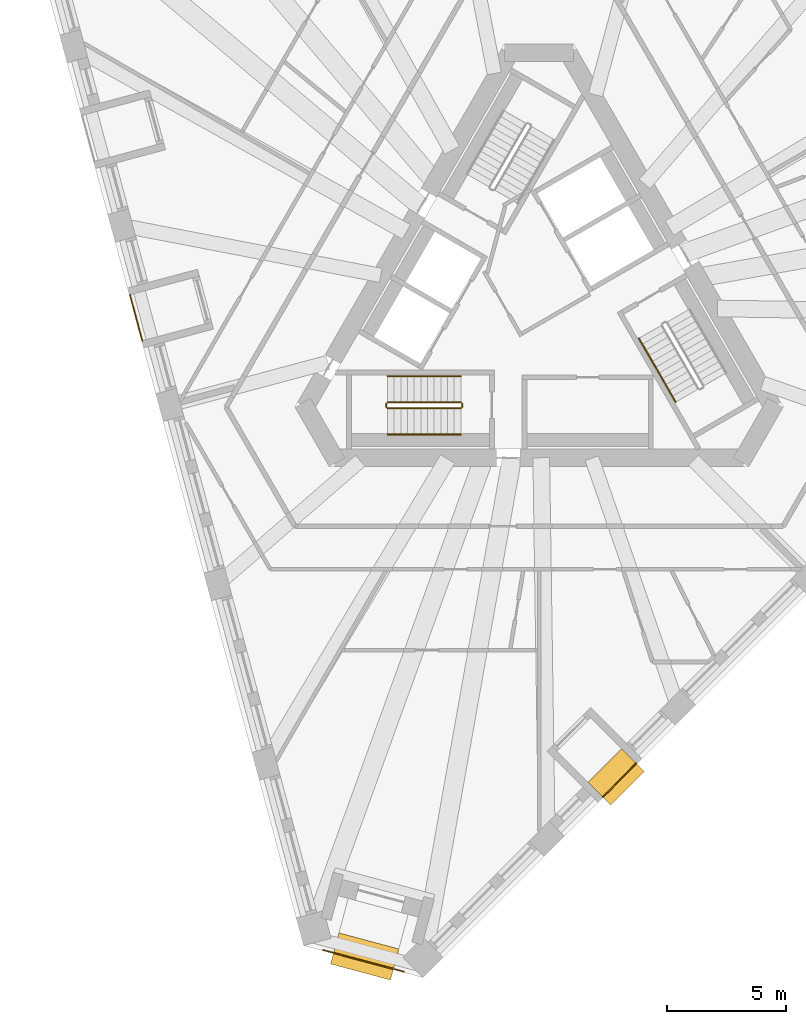
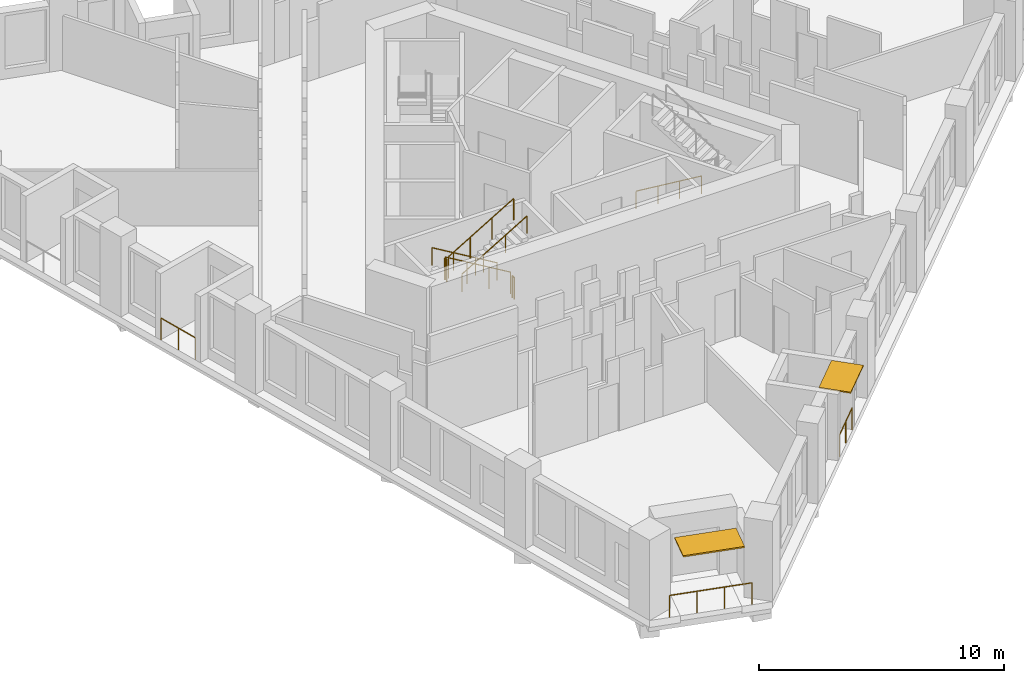
# One storey, part 10 of 13: 10 railings, 2 shading devices.
"""IFC4 building model written with IfcOpenShell, lengths in metres."""

from ifc_helpers import new_model, si_unit, direction, frame, origin, origin_2d, place, context, subcontext, project, spatial, rectangle, circle, extrude, material, layer, layer_set, type_object, element, save


model = new_model("IFC4")

# Units and contexts
model_context = context("Model", 3, precision=1e-05, world=origin(), true_north=direction((0.0, 1.0)))
body_context = subcontext(model_context, "Body", "Model", "MODEL_VIEW")
ifc_project = project(units=[si_unit("LENGTHUNIT", "METRE"), si_unit("AREAUNIT", "SQUARE_METRE"), si_unit("VOLUMEUNIT", "CUBIC_METRE"), si_unit("PLANEANGLEUNIT", "RADIAN"), si_unit("MASSUNIT", "GRAM", prefix="KILO")], contexts=[model_context])

# Site, building, storey
site_placement = place(None, origin())
site = spatial("IfcSite", under=ifc_project, at=site_placement, CompositionType="ELEMENT")
building_placement = place(site_placement, origin())
building = spatial("IfcBuilding", under=site, at=building_placement, Name="Tramontana Tower", CompositionType="ELEMENT")
storey_placement = place(building_placement, frame((0.0, 0.0, 204.0)))
storey = spatial("IfcBuildingStorey", under=building, at=storey_placement, Name="L47", CompositionType="ELEMENT", Elevation=204.0)

# Railings
ifc_material_1 = material(Name="Laminated glass balustrade", Category="glass")
railing_type_1 = type_object("IfcRailingType", Name="GD1 Loggia glass balustrade 1100", PredefinedType="BALUSTRADE", material=ifc_material_1)
railing_1_placement = place(storey_placement, frame((-17.176025390625, 0.466552734375, 0.0)))
element("IfcRailing", 1, at=railing_1_placement, inside=storey, type_object=railing_type_1, Name="Loggia balustrade L47 G5S0.7", PredefinedType="BALUSTRADE", context=body_context, shape_type="SweptSolid", body=[
    extrude(circle(Radius=0.02392578125, at=origin_2d()), frame((0.0, 0.0, 1.076171875), z_axis=(0.258803270362, -0.96593005298, 0.0), x_axis=(0.96593005298, 0.258803270362, 0.0)), (0.0, 0.0, 1.0), 1.998046875),
    extrude(circle(Radius=0.02099609375, at=origin_2d()), origin(), (0.0, 0.0, 1.0), 1.052001953125),
    extrude(circle(Radius=0.02099609375, at=origin_2d()), frame((0.258544921875, -0.96484375, 0.0)), (0.0, 0.0, 1.0), 1.052001953125),
    extrude(circle(Radius=0.02099609375, at=origin_2d()), frame((0.51708984375, -1.929931640625, 0.0)), (0.0, 0.0, 1.0), 1.052001953125),
])
railing_2_placement = place(storey_placement, frame((2.672607421875, -20.619384765625, 0.0)))
element("IfcRailing", 2, at=railing_2_placement, inside=storey, type_object=railing_type_1, Name="Loggia balustrade L47 G5S1.4", PredefinedType="BALUSTRADE", context=body_context, shape_type="SweptSolid", body=[
    extrude(circle(Radius=0.02392578125, at=origin_2d()), frame((0.0, 0.0, 1.076171875), z_axis=(0.707106781187, 0.707106781187, 0.0), x_axis=(-0.707106781187, 0.707106781187, 0.0)), (0.0, 0.0, 1.0), 1.998046875),
    extrude(circle(Radius=0.02099609375, at=origin_2d()), origin(), (0.0, 0.0, 1.0), 1.052001953125),
    extrude(circle(Radius=0.02099609375, at=origin_2d()), frame((0.70654296875, 0.70654296875, 0.0)), (0.0, 0.0, 1.0), 1.052001953125),
    extrude(circle(Radius=0.02099609375, at=origin_2d()), frame((1.412841796875, 1.412841796875, 0.0)), (0.0, 0.0, 1.0), 1.052001953125),
])
railing_3_placement = place(storey_placement, frame((-5.67822265625, -27.952880859375, 0.0)))
element("IfcRailing", 3, at=railing_3_placement, inside=storey, type_object=railing_type_1, Name="Corner loggia balustrade L47 K51", PredefinedType="BALUSTRADE", context=body_context, shape_type="SweptSolid", body=[
    extrude(circle(Radius=0.02392578125, at=origin_2d()), frame((0.0, 0.0, 1.076171875), z_axis=(-0.965913486506, 0.258865093408, 0.0), x_axis=(-0.258865093408, -0.965913486506, 0.0)), (0.0, 0.0, 1.0), 3.5),
    extrude(circle(Radius=0.02099609375, at=origin_2d()), origin(), (0.0, 0.0, 1.0), 1.052001953125),
    extrude(circle(Radius=0.02099609375, at=origin_2d()), frame((-1.126953125, 0.302001953125, 0.0)), (0.0, 0.0, 1.0), 1.052001953125),
    extrude(circle(Radius=0.02099609375, at=origin_2d()), frame((-2.253662109375, 0.60400390625, 0.0)), (0.0, 0.0, 1.0), 1.052001953125),
    extrude(circle(Radius=0.02099609375, at=origin_2d()), frame((-3.380615234375, 0.906005859375, 0.0)), (0.0, 0.0, 1.0), 1.052001953125),
])

# Shading devices
ifc_material_2 = material(Name="Precast concrete 60 MPa", Category="concrete")
ifc_layer_1 = layer(ifc_material_2, 0.06005859375)
ifc_layer_set_1 = layer_set([ifc_layer_1], Name="SS1 Stone sunshade blade 60")
shading_device_type_1 = type_object("IfcShadingDeviceType", Name="SS1 Stone sunshade blade 60", PredefinedType="USERDEFINED", material=ifc_layer_set_1)
shading_device_1_placement = place(storey_placement, frame((3.2412109375, -19.775146484375, 3.239990234375), z_axis=(0.0, 0.0, 1.0), x_axis=(0.707106781187, 0.707106781187, 0.0)))
element("IfcShadingDevice", 4, at=shading_device_1_placement, inside=storey, type_object=shading_device_type_1, Name="Sunshade L47 G5S1.4", ObjectType="SUNSHADE", PredefinedType="USERDEFINED", context=body_context, shape_type="SweptSolid", body=[
    extrude(rectangle(XDim=1.998046875, YDim=1.35009765625, at=origin_2d()), origin(), (0.0, 0.0, 1.0), 0.06005859375),
])
ifc_material_3 = material(Name="Precast concrete 60 MPa", Category="concrete")
ifc_layer_2 = layer(ifc_material_3, 0.070068359375)
ifc_layer_set_2 = layer_set([ifc_layer_2], Name="SS2 Stone sunshade blade 70")
shading_device_type_2 = type_object("IfcShadingDeviceType", Name="SS2 Stone sunshade blade 70", PredefinedType="USERDEFINED", material=ifc_layer_set_2)
shading_device_2_placement = place(storey_placement, frame((-7.318115234375, -27.3115234375, 3.22998046875), z_axis=(0.0, 0.0, 1.0), x_axis=(-0.965925826289, 0.258819045103, 0.0)))
element("IfcShadingDevice", 5, at=shading_device_2_placement, inside=storey, type_object=shading_device_type_2, Name="Corner sunshade L47 K51", ObjectType="SUNSHADE", PredefinedType="USERDEFINED", context=body_context, shape_type="SweptSolid", body=[
    extrude(rectangle(XDim=2.60009765625, YDim=1.35009765625, at=origin_2d()), origin(), (0.0, 0.0, 1.0), 0.070068359375),
])

# Railings
ifc_material_4 = material(Name="Painted steel", Category="steel")
railing_type_2 = type_object("IfcRailingType", Name="STAIR GUARD 1100", PredefinedType="GUARDRAIL", material=ifc_material_4)
railing_4_placement = place(storey_placement, frame((-3.280029296875, -4.050048828125, 0.166748046875)))
element("IfcRailing", 6, at=railing_4_placement, inside=storey, type_object=railing_type_2, Name="L47 ST2 stair guard 1", PredefinedType="GUARDRAIL", context=body_context, shape_type="SweptSolid", body=[
    extrude(circle(Radius=0.02392578125, at=origin_2d()), frame((0.0, 0.0, 1.076171875), z_axis=(-0.859308565015, 0.0, 0.511457515432), x_axis=(0.0, -1.0, 0.0)), (0.0, 0.0, 1.0), 3.58447265625),
    extrude(circle(Radius=0.02099609375, at=origin_2d()), origin(), (0.0, 0.0, 1.0), 1.052001953125),
    extrude(circle(Radius=0.02099609375, at=origin_2d()), frame((-1.026611328125, 0.0, 0.611083984375)), (0.0, 0.0, 1.0), 1.052001953125),
    extrude(circle(Radius=0.02099609375, at=origin_2d()), frame((-2.053466796875, 0.0, 1.22216796875)), (0.0, 0.0, 1.0), 1.052001953125),
    extrude(circle(Radius=0.02099609375, at=origin_2d()), frame((-3.080078125, 0.0, 1.833251953125)), (0.0, 0.0, 1.0), 1.052001953125),
])
railing_5_placement = place(storey_placement, frame((-6.360107421875, -4.300048828125, 2.166748046875)))
element("IfcRailing", 7, at=railing_5_placement, inside=storey, type_object=railing_type_2, Name="L47 ST2 stair guard 2", PredefinedType="GUARDRAIL", context=body_context, shape_type="SweptSolid", body=[
    extrude(circle(Radius=0.02392578125, at=origin_2d()), frame((0.0, 0.0, 1.076171875), z_axis=(0.859308565015, 0.0, 0.511457515432), x_axis=(0.0, 1.0, 0.0)), (0.0, 0.0, 1.0), 3.58447265625),
    extrude(circle(Radius=0.02099609375, at=origin_2d()), origin(), (0.0, 0.0, 1.0), 1.052001953125),
    extrude(circle(Radius=0.02099609375, at=origin_2d()), frame((1.026611328125, 0.0, 0.611083984375)), (0.0, 0.0, 1.0), 1.052001953125),
    extrude(circle(Radius=0.02099609375, at=origin_2d()), frame((2.053466796875, 0.0, 1.22216796875)), (0.0, 0.0, 1.0), 1.052001953125),
    extrude(circle(Radius=0.02099609375, at=origin_2d()), frame((3.080078125, 0.0, 1.833251953125)), (0.0, 0.0, 1.0), 1.052001953125),
])
for number, where, name in (
    (8, (-6.409912109375, -4.10009765625, 2.0), "L47 ST2 stair guard 3"),
    (9, (-3.22998046875, -4.10009765625, 0.0), "L47 ST2 stair guard 4"),
):
    element("IfcRailing", number, at=place(storey_placement, frame(where)), inside=storey, type_object=railing_type_2, Name=name, PredefinedType="GUARDRAIL", context=body_context, shape_type="SweptSolid", body=[
        extrude(circle(Radius=0.02392578125, at=origin_2d()), frame((0.0, 0.0, 1.076171875), z_axis=(0.0, -1.0, 0.0), x_axis=(1.0, 0.0, 0.0)), (0.0, 0.0, 1.0), 0.14990234375),
        extrude(circle(Radius=0.02099609375, at=origin_2d()), origin(), (0.0, 0.0, 1.0), 1.052001953125),
        extrude(circle(Radius=0.02099609375, at=origin_2d()), frame((0.0, -0.14990234375, 0.0)), (0.0, 0.0, 1.0), 1.052001953125),
    ])
ifc_material_5 = material(Name="Painted steel", Category="steel")
railing_type_3 = type_object("IfcRailingType", Name="STAIR HANDRAIL 900", PredefinedType="HANDRAIL", material=ifc_material_5)
railing_6_placement = place(storey_placement, frame((-3.280029296875, -2.949951171875, 0.166748046875)))
element("IfcRailing", 10, at=railing_6_placement, inside=storey, type_object=railing_type_3, Name="L47 ST2 stair handrail 1", PredefinedType="HANDRAIL", context=body_context, shape_type="SweptSolid", body=[
    extrude(circle(Radius=0.02392578125, at=origin_2d()), frame((0.0, 0.0, 0.8759765625), z_axis=(-0.859308565015, 0.0, 0.511457515432), x_axis=(0.0, -1.0, 0.0)), (0.0, 0.0, 1.0), 3.58447265625),
    extrude(circle(Radius=0.02099609375, at=origin_2d()), origin(), (0.0, 0.0, 1.0), 0.851806640625),
    extrude(circle(Radius=0.02099609375, at=origin_2d()), frame((-1.026611328125, 0.0, 0.611083984375)), (0.0, 0.0, 1.0), 0.851806640625),
    extrude(circle(Radius=0.02099609375, at=origin_2d()), frame((-2.053466796875, 0.0, 1.22216796875)), (0.0, 0.0, 1.0), 0.851806640625),
    extrude(circle(Radius=0.02099609375, at=origin_2d()), frame((-3.080078125, 0.0, 1.833251953125)), (0.0, 0.0, 1.0), 0.851806640625),
])
railing_7_placement = place(storey_placement, frame((-6.360107421875, -5.39990234375, 2.166748046875)))
element("IfcRailing", 11, at=railing_7_placement, inside=storey, type_object=railing_type_3, Name="L47 ST2 stair handrail 2", PredefinedType="HANDRAIL", context=body_context, shape_type="SweptSolid", body=[
    extrude(circle(Radius=0.02392578125, at=origin_2d()), frame((0.0, 0.0, 0.8759765625), z_axis=(0.859308565015, 0.0, 0.511457515432), x_axis=(0.0, 1.0, 0.0)), (0.0, 0.0, 1.0), 3.58447265625),
    extrude(circle(Radius=0.02099609375, at=origin_2d()), origin(), (0.0, 0.0, 1.0), 0.851806640625),
    extrude(circle(Radius=0.02099609375, at=origin_2d()), frame((1.026611328125, 0.0, 0.611083984375)), (0.0, 0.0, 1.0), 0.851806640625),
    extrude(circle(Radius=0.02099609375, at=origin_2d()), frame((2.053466796875, 0.0, 1.22216796875)), (0.0, 0.0, 1.0), 0.851806640625),
    extrude(circle(Radius=0.02099609375, at=origin_2d()), frame((3.080078125, 0.0, 1.833251953125)), (0.0, 0.0, 1.0), 0.851806640625),
])
railing_8_placement = place(storey_placement, frame((4.19482421875, -1.365478515625, 0.166748046875)))
element("IfcRailing", 12, at=railing_8_placement, inside=storey, type_object=railing_type_3, Name="L47 ST3 stair handrail 1", PredefinedType="HANDRAIL", context=body_context, shape_type="SweptSolid", body=[
    extrude(circle(Radius=0.02392578125, at=origin_2d()), frame((0.0, 0.0, 0.8759765625), z_axis=(0.429649414936, -0.744189839504, 0.511451721109), x_axis=(0.866029832698, 0.499992328818, 0.0)), (0.0, 0.0, 1.0), 3.58447265625),
    extrude(circle(Radius=0.02099609375, at=origin_2d()), origin(), (0.0, 0.0, 1.0), 0.851806640625),
    extrude(circle(Radius=0.02099609375, at=origin_2d()), frame((0.513427734375, -0.88916015625, 0.611083984375)), (0.0, 0.0, 1.0), 0.851806640625),
    extrude(circle(Radius=0.02099609375, at=origin_2d()), frame((1.026611328125, -1.7783203125, 1.22216796875)), (0.0, 0.0, 1.0), 0.851806640625),
    extrude(circle(Radius=0.02099609375, at=origin_2d()), frame((1.5400390625, -2.66748046875, 1.833251953125)), (0.0, 0.0, 1.0), 0.851806640625),
])

save(model, "model.ifc")
